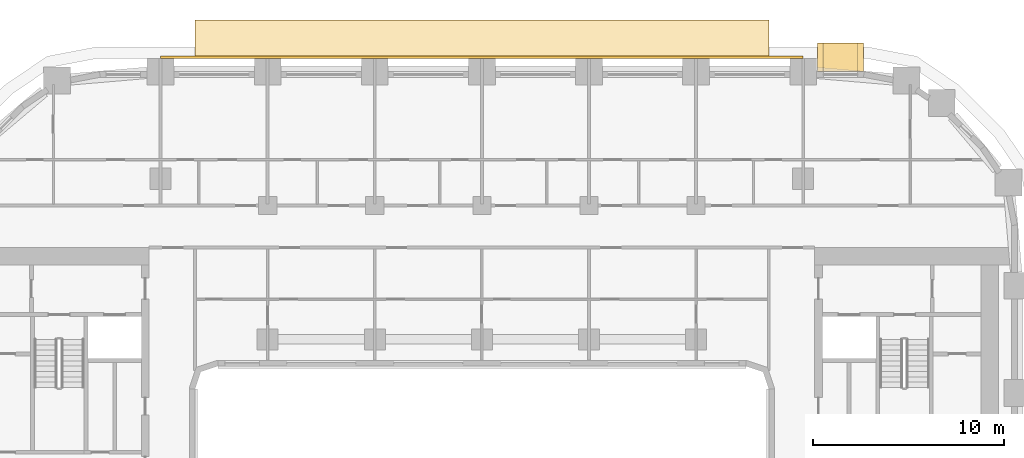
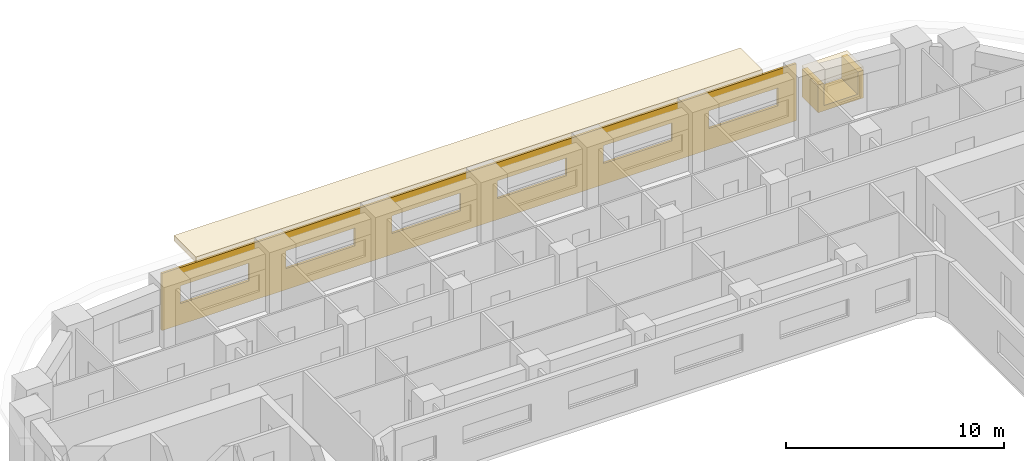
# One storey, part 21 of 22: 4 coverings.
"""IFC4 building model written with IfcOpenShell, lengths in metres."""

from ifc_helpers import new_model, si_unit, direction, frame, origin, origin_2d, place, context, subcontext, project, spatial, polyline, rectangle, outline, extrude, material, layer, layer_set, type_object, element, save


model = new_model("IFC4")

# Units and contexts
model_context = context("Model", 3, precision=1e-05, world=origin(), true_north=direction((0.0, 1.0)))
body_context = subcontext(model_context, "Body", "Model", "MODEL_VIEW")
ifc_project = project(units=[si_unit("LENGTHUNIT", "METRE"), si_unit("AREAUNIT", "SQUARE_METRE"), si_unit("VOLUMEUNIT", "CUBIC_METRE"), si_unit("PLANEANGLEUNIT", "RADIAN"), si_unit("MASSUNIT", "GRAM", prefix="KILO")], contexts=[model_context])

# Site, building, storey
site_placement = place(None, origin())
site = spatial("IfcSite", under=ifc_project, at=site_placement, CompositionType="ELEMENT")
building_placement = place(site_placement, origin())
building = spatial("IfcBuilding", under=site, at=building_placement, Name="Kiln Ring Residences", CompositionType="ELEMENT")
storey_placement = place(building_placement, frame((0.0, 0.0, 62.0)))
storey = spatial("IfcBuildingStorey", under=building, at=storey_placement, Name="L15", CompositionType="ELEMENT", Elevation=62.0)

# Coverings
ifc_material_1 = material(Name="Brick masonry, dark clay brick", Category="masonry")
ifc_layer_1 = layer(ifc_material_1, 0.300048828125)
ifc_layer_set_1 = layer_set([ifc_layer_1], Name="FRAME CHEEKS AND SILL 1500")
covering_type_1 = type_object("IfcCoveringType", Name="FRAME CHEEKS AND SILL 1500", PredefinedType="CLADDING", material=ifc_layer_set_1)
covering_1_placement = place(storey_placement, frame((19.949951171875, 23.14990234375, 0.60009765625), z_axis=(0.0, 0.0, 1.0), x_axis=(-1.0, 0.0, 0.0)))
element("IfcCovering", 1, at=covering_1_placement, inside=storey, type_object=covering_type_1, Name="FRAME L15", PredefinedType="CLADDING", context=body_context, shape_type="SweptSolid", body=[
    extrude(outline(polyline([(0.0, 0.0), (2.39990234375, 0.0), (2.39990234375, 1.5498046875), (2.10107421875, 1.5498046875), (2.10009765625, 0.2998046875), (0.300048828125, 0.2998046875), (0.299072265625, 1.5498046875), (0.0, 1.5498046875), (0.0, 0.0)])), frame((0.0, 0.75, 0.0), z_axis=(0.0, -1.0, 0.0), x_axis=(1.0, 0.0, 0.0)), (0.0, 0.0, 1.0), 1.5),
])
ifc_material_2 = material(Name="Brick masonry, dark clay brick", Category="masonry")
ifc_layer_2 = layer(ifc_material_2, 0.199951171875)
ifc_layer_set_2 = layer_set([ifc_layer_2], Name="FRAME HEAD 1500")
covering_type_2 = type_object("IfcCoveringType", Name="FRAME HEAD 1500", PredefinedType="CLADDING", material=ifc_layer_set_2)
covering_2_placement = place(storey_placement, frame((18.75, 23.14990234375, 2.14990234375), z_axis=(0.0, 0.0, 1.0), x_axis=(-1.0, 0.0, 0.0)))
element("IfcCovering", 2, at=covering_2_placement, inside=storey, type_object=covering_type_2, Name="FRAME HEAD L15", PredefinedType="CLADDING", context=body_context, shape_type="SweptSolid", body=[
    extrude(rectangle(XDim=2.39990234375, YDim=1.5, at=origin_2d()), origin(), (0.0, 0.0, 1.0), 0.199951171875),
])
ifc_material_3 = material(Name="Brick masonry, dark clay brick", Category="masonry")
ifc_layer_3 = layer(ifc_material_3, 0.1201171875)
ifc_layer_set_3 = layer_set([ifc_layer_3], Name="RAINSCREEN PANEL 120")
covering_type_3 = type_object("IfcCoveringType", Name="RAINSCREEN PANEL 120", PredefinedType="CLADDING", material=ifc_layer_set_3)
covering_3_placement = place(storey_placement, frame((16.800048828125, 23.159912109375, 0.0), z_axis=(0.0, 0.0, 1.0), x_axis=(-1.0, 0.0, 0.0)))
element("IfcCovering", 3, at=covering_3_placement, inside=storey, type_object=covering_type_3, Name="RAINSCREEN L15", PredefinedType="CLADDING", context=body_context, shape_type="SweptSolid", body=[
    extrude(outline(polyline([(0.0, 0.0), (33.60009765625, 0.0), (33.60009765625, 3.199951171875), (0.0, 3.199951171875), (0.0, 0.0)]), holes=[polyline([(4.6201171875, 1.179931640625), (4.6201171875, 2.169921875), (0.97998046875, 2.169921875), (0.97998046875, 1.179931640625), (4.6201171875, 1.179931640625)]), polyline([(6.580078125, 1.179931640625), (10.219970703125, 1.179931640625), (10.219970703125, 2.169921875), (6.580078125, 2.169921875), (6.580078125, 1.179931640625)]), polyline([(12.179931640625, 1.179931640625), (15.820068359375, 1.179931640625), (15.820068359375, 2.169921875), (12.179931640625, 2.169921875), (12.179931640625, 1.179931640625)]), polyline([(21.419921875, 1.179931640625), (21.419921875, 2.169921875), (17.780029296875, 2.169921875), (17.780029296875, 1.179931640625), (21.419921875, 1.179931640625)]), polyline([(23.3798828125, 1.179931640625), (27.02001953125, 1.179931640625), (27.02001953125, 2.169921875), (23.3798828125, 2.169921875), (23.3798828125, 1.179931640625)]), polyline([(28.97998046875, 1.179931640625), (32.6201171875, 1.179931640625), (32.6201171875, 2.169921875), (28.97998046875, 2.169921875), (28.97998046875, 1.179931640625)])]), frame((0.0, 0.06005859375, 0.0), z_axis=(0.0, -1.0, 0.0), x_axis=(1.0, 0.0, 0.0)), (0.0, 0.0, 1.0), 0.1201171875),
])
ifc_material_4 = material(Name="Black powder-coated steel", Category="steel")
ifc_layer_4 = layer(ifc_material_4, 0.300048828125)
ifc_layer_set_4 = layer_set([ifc_layer_4], Name="SUNSHADE BAND 2000")
covering_type_4 = type_object("IfcCoveringType", Name="SUNSHADE BAND 2000", PredefinedType="CLADDING", material=ifc_layer_set_4)
covering_4_placement = place(storey_placement, frame((0.0, 0.0, 3.199951171875)))
element("IfcCovering", 4, at=covering_4_placement, inside=storey, type_object=covering_type_4, Name="SUNSHADE BAND L15", PredefinedType="CLADDING", context=body_context, shape_type="SweptSolid", body=[
    extrude(outline(polyline([(15.0, 25.10009765625), (-15.0, 25.10009765625), (-15.0, 23.10009765625), (15.0, 23.10009765625), (15.0, 25.10009765625)])), origin(), (0.0, 0.0, 1.0), 0.300048828125),
])

save(model, "model.ifc")
